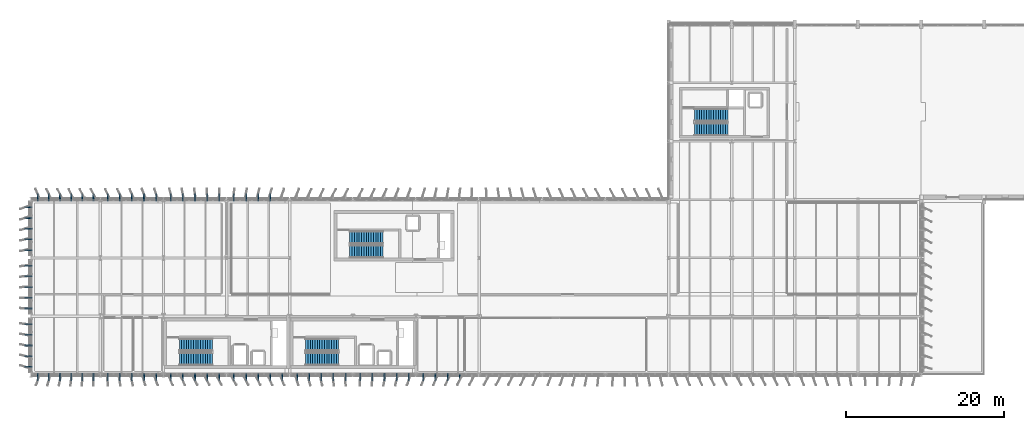
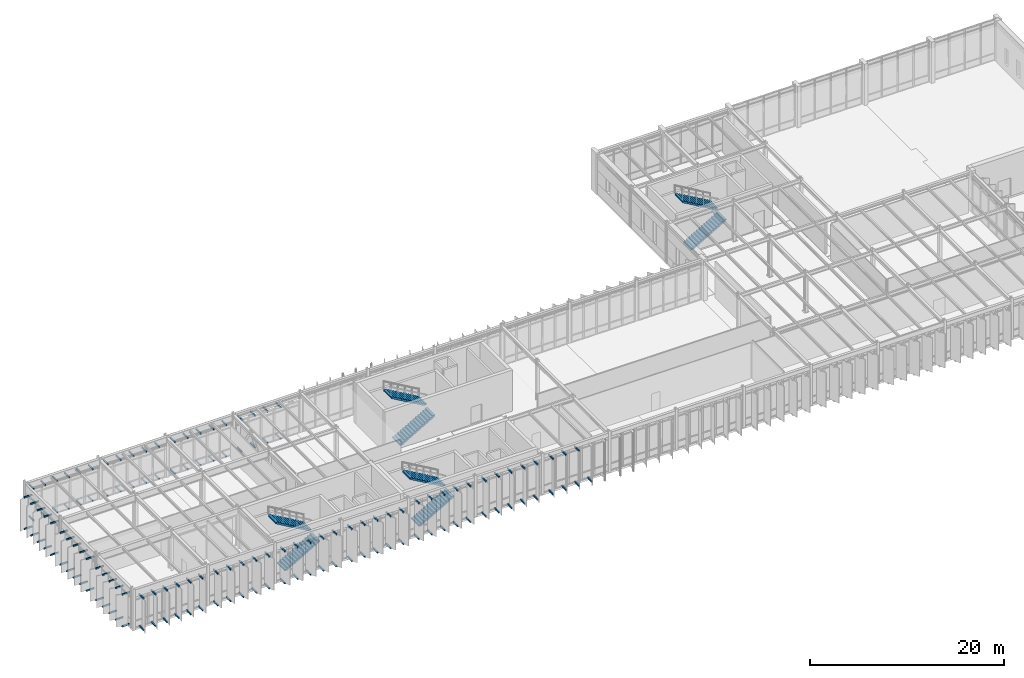
# One storey, part 38 of 48: 139 discrete accessories, 8 stair flights, 4 elements without a shape of their own.
"""IFC4 building model written with IfcOpenShell, lengths in metres."""

from ifc_helpers import new_model, si_unit, direction, frame, origin, origin_2d, place, context, subcontext, project, spatial, polyline, rectangle, outline, extrude, material, type_object, element, aggregate, save


model = new_model("IFC4")

# Units and contexts
model_context = context("Model", 3, precision=1e-05, world=origin(), true_north=direction((0.0, 1.0)))
body_context = subcontext(model_context, "Body", "Model", "MODEL_VIEW")
ifc_project = project(units=[si_unit("LENGTHUNIT", "METRE"), si_unit("AREAUNIT", "SQUARE_METRE"), si_unit("VOLUMEUNIT", "CUBIC_METRE"), si_unit("PLANEANGLEUNIT", "RADIAN"), si_unit("MASSUNIT", "GRAM", prefix="KILO")], contexts=[model_context])

# Site, building, storey
site_placement = place(None, origin())
site = spatial("IfcSite", under=ifc_project, at=site_placement, CompositionType="ELEMENT")
building_placement = place(site_placement, origin())
building = spatial("IfcBuilding", under=site, at=building_placement, Name="Valkorina Park Police Headquarters", CompositionType="ELEMENT")
storey_placement = place(building_placement, frame((0.0, 0.0, 18.10009765625)))
storey = spatial("IfcBuildingStorey", under=building, at=storey_placement, Name="L05", CompositionType="ELEMENT", Elevation=18.10009765625)

# Stair, stair flights
ifc_material_1 = material(Name="Concrete C35/45", Category="concrete")
stair_type = type_object("IfcStairType", Name="ST-DOGLEG-160-52", PredefinedType="HALF_TURN_STAIR", material=ifc_material_1)
stair_1_placement = place(storey_placement, origin())
stair_1 = element("IfcStair", 1, at=stair_1_placement, inside=storey, type_object=stair_type, Name="L05 Core C1 Protected Stair (ST-06)", PredefinedType="HALF_TURN_STAIR")
stair_flight_type = type_object("IfcStairFlightType", Name="STF-STRAIGHT-160-52", PredefinedType="STRAIGHT", material=ifc_material_1)
stair_flight_1_placement = place(storey_placement, frame((18.800048828125, 39.0, 0.0), z_axis=(0.0, 0.0, 1.0), x_axis=(1.0, 0.0, 0.0)))
stair_flight_1 = element("IfcStairFlight", 2, at=stair_flight_1_placement, type_object=stair_flight_type, Name="ST-06 flight 1", NumberOfRisers=15, NumberOfTreads=14, PredefinedType="STRAIGHT", RiserHeight=0.173333333, TreadLength=0.3, context=body_context, shape_type="SweptSolid", body=[
    extrude(outline(polyline([(0.0, 0.0), (0.0, 0.17333984375), (0.300048828125, 0.17333984375), (0.300048828125, 0.3466796875), (0.60009765625, 0.3466796875), (0.60009765625, 0.52001953125), (0.89990234375, 0.52001953125), (0.89990234375, 0.693359375), (1.199951171875, 0.693359375), (1.199951171875, 0.86669921875), (1.5, 0.86669921875), (1.5, 1.0400390625), (1.800048828125, 1.0400390625), (1.800048828125, 1.21337890625), (2.10009765625, 1.21337890625), (2.10009765625, 1.38671875), (2.39990234375, 1.38671875), (2.39990234375, 1.56005859375), (2.699951171875, 1.56005859375), (2.699951171875, 1.7333984375), (3.0, 1.7333984375), (3.0, 1.90673828125), (3.300048828125, 1.90673828125), (3.300048828125, 2.080078125), (3.60009765625, 2.080078125), (3.60009765625, 2.25341796875), (3.89990234375, 2.25341796875), (3.89990234375, 2.4267578125), (4.199951171875, 2.4267578125), (4.199951171875, 2.60009765625), (4.199951171875, 2.241943359375), (0.319580078125, 0.0), (0.0, 0.0)])), frame((0.0, 0.800048828125, 0.0), z_axis=(0.0, -1.0, 0.0), x_axis=(1.0, 0.0, 0.0)), (0.0, 0.0, 1.0), 1.60009765625),
])
stair_flight_2_placement = place(storey_placement, frame((23.0, 40.800048828125, 2.599853515625), z_axis=(0.0, 0.0, 1.0), x_axis=(-1.0, 0.0, 0.0)))
stair_flight_2 = element("IfcStairFlight", 3, at=stair_flight_2_placement, type_object=stair_flight_type, Name="ST-06 flight 2", NumberOfRisers=15, NumberOfTreads=14, PredefinedType="STRAIGHT", RiserHeight=0.173333333, TreadLength=0.3, context=body_context, shape_type="SweptSolid", body=[
    extrude(outline(polyline([(0.0, 0.0), (0.0, 0.17333984375), (0.300048828125, 0.17333984375), (0.300048828125, 0.3466796875), (0.60009765625, 0.3466796875), (0.60009765625, 0.52001953125), (0.89990234375, 0.52001953125), (0.89990234375, 0.693359375), (1.199951171875, 0.693359375), (1.199951171875, 0.86669921875), (1.5, 0.86669921875), (1.5, 1.0400390625), (1.800048828125, 1.0400390625), (1.800048828125, 1.21337890625), (2.10009765625, 1.21337890625), (2.10009765625, 1.38671875), (2.39990234375, 1.38671875), (2.39990234375, 1.56005859375), (2.699951171875, 1.56005859375), (2.699951171875, 1.7333984375), (3.0, 1.7333984375), (3.0, 1.90673828125), (3.300048828125, 1.90673828125), (3.300048828125, 2.080078125), (3.60009765625, 2.080078125), (3.60009765625, 2.25341796875), (3.89990234375, 2.25341796875), (3.89990234375, 2.4267578125), (4.199951171875, 2.4267578125), (4.199951171875, 2.60009765625), (4.199951171875, 2.241943359375), (0.319580078125, 0.0), (0.0, 0.0)])), frame((0.0, 0.800048828125, 0.0), z_axis=(0.0, -1.0, 0.0), x_axis=(1.0, 0.0, 0.0)), (0.0, 0.0, 1.0), 1.60009765625),
])
aggregate(stair_1, [stair_flight_1, stair_flight_2])

stair_2_placement = place(storey_placement, origin())
stair_2 = element("IfcStair", 4, at=stair_2_placement, inside=storey, type_object=stair_type, Name="L05 Core C2 Protected Stair (ST-06)", PredefinedType="HALF_TURN_STAIR")
stair_flight_3_placement = place(storey_placement, frame((34.800048828125, 39.0, 0.0), z_axis=(0.0, 0.0, 1.0), x_axis=(1.0, 0.0, 0.0)))
stair_flight_3 = element("IfcStairFlight", 5, at=stair_flight_3_placement, type_object=stair_flight_type, Name="ST-06 flight 1", NumberOfRisers=15, NumberOfTreads=14, PredefinedType="STRAIGHT", RiserHeight=0.173333333, TreadLength=0.3, context=body_context, shape_type="SweptSolid", body=[
    extrude(outline(polyline([(0.0, 0.0), (0.0, 0.17333984375), (0.300048828125, 0.17333984375), (0.300048828125, 0.3466796875), (0.60009765625, 0.3466796875), (0.60009765625, 0.52001953125), (0.89990234375, 0.52001953125), (0.89990234375, 0.693359375), (1.199951171875, 0.693359375), (1.199951171875, 0.86669921875), (1.5, 0.86669921875), (1.5, 1.0400390625), (1.800048828125, 1.0400390625), (1.800048828125, 1.21337890625), (2.10009765625, 1.21337890625), (2.10009765625, 1.38671875), (2.39990234375, 1.38671875), (2.39990234375, 1.56005859375), (2.699951171875, 1.56005859375), (2.699951171875, 1.7333984375), (3.0, 1.7333984375), (3.0, 1.90673828125), (3.300048828125, 1.90673828125), (3.300048828125, 2.080078125), (3.60009765625, 2.080078125), (3.60009765625, 2.25341796875), (3.89990234375, 2.25341796875), (3.89990234375, 2.4267578125), (4.199951171875, 2.4267578125), (4.199951171875, 2.60009765625), (4.199951171875, 2.241943359375), (0.319580078125, 0.0), (0.0, 0.0)])), frame((0.0, 0.800048828125, 0.0), z_axis=(0.0, -1.0, 0.0), x_axis=(1.0, 0.0, 0.0)), (0.0, 0.0, 1.0), 1.60009765625),
])
stair_flight_4_placement = place(storey_placement, frame((39.0, 40.800048828125, 2.599853515625), z_axis=(0.0, 0.0, 1.0), x_axis=(-1.0, 0.0, 0.0)))
stair_flight_4 = element("IfcStairFlight", 6, at=stair_flight_4_placement, type_object=stair_flight_type, Name="ST-06 flight 2", NumberOfRisers=15, NumberOfTreads=14, PredefinedType="STRAIGHT", RiserHeight=0.173333333, TreadLength=0.3, context=body_context, shape_type="SweptSolid", body=[
    extrude(outline(polyline([(0.0, 0.0), (0.0, 0.17333984375), (0.300048828125, 0.17333984375), (0.300048828125, 0.3466796875), (0.60009765625, 0.3466796875), (0.60009765625, 0.52001953125), (0.89990234375, 0.52001953125), (0.89990234375, 0.693359375), (1.199951171875, 0.693359375), (1.199951171875, 0.86669921875), (1.5, 0.86669921875), (1.5, 1.0400390625), (1.800048828125, 1.0400390625), (1.800048828125, 1.21337890625), (2.10009765625, 1.21337890625), (2.10009765625, 1.38671875), (2.39990234375, 1.38671875), (2.39990234375, 1.56005859375), (2.699951171875, 1.56005859375), (2.699951171875, 1.7333984375), (3.0, 1.7333984375), (3.0, 1.90673828125), (3.300048828125, 1.90673828125), (3.300048828125, 2.080078125), (3.60009765625, 2.080078125), (3.60009765625, 2.25341796875), (3.89990234375, 2.25341796875), (3.89990234375, 2.4267578125), (4.199951171875, 2.4267578125), (4.199951171875, 2.60009765625), (4.199951171875, 2.241943359375), (0.319580078125, 0.0), (0.0, 0.0)])), frame((0.0, 0.800048828125, 0.0), z_axis=(0.0, -1.0, 0.0), x_axis=(1.0, 0.0, 0.0)), (0.0, 0.0, 1.0), 1.60009765625),
])
aggregate(stair_2, [stair_flight_3, stair_flight_4])

stair_3_placement = place(storey_placement, origin())
stair_3 = element("IfcStair", 7, at=stair_3_placement, inside=storey, type_object=stair_type, Name="L05 Core C3 Protected Stair (ST-06)", PredefinedType="HALF_TURN_STAIR")
stair_flight_5_placement = place(storey_placement, frame((40.39990234375, 52.60009765625, 0.0), z_axis=(0.0, 0.0, 1.0), x_axis=(1.0, 0.0, 0.0)))
stair_flight_5 = element("IfcStairFlight", 8, at=stair_flight_5_placement, type_object=stair_flight_type, Name="ST-06 flight 1", NumberOfRisers=15, NumberOfTreads=14, PredefinedType="STRAIGHT", RiserHeight=0.173333333, TreadLength=0.3, context=body_context, shape_type="SweptSolid", body=[
    extrude(outline(polyline([(0.0, 0.0), (0.0, 0.17333984375), (0.300048828125, 0.17333984375), (0.300048828125, 0.3466796875), (0.60009765625, 0.3466796875), (0.60009765625, 0.52001953125), (0.89990234375, 0.52001953125), (0.89990234375, 0.693359375), (1.199951171875, 0.693359375), (1.199951171875, 0.86669921875), (1.5, 0.86669921875), (1.5, 1.0400390625), (1.800048828125, 1.0400390625), (1.800048828125, 1.21337890625), (2.10009765625, 1.21337890625), (2.10009765625, 1.38671875), (2.39990234375, 1.38671875), (2.39990234375, 1.56005859375), (2.699951171875, 1.56005859375), (2.699951171875, 1.7333984375), (3.0, 1.7333984375), (3.0, 1.90673828125), (3.300048828125, 1.90673828125), (3.300048828125, 2.080078125), (3.60009765625, 2.080078125), (3.60009765625, 2.25341796875), (3.89990234375, 2.25341796875), (3.89990234375, 2.4267578125), (4.199951171875, 2.4267578125), (4.199951171875, 2.60009765625), (4.199951171875, 2.241943359375), (0.319580078125, 0.0), (0.0, 0.0)])), frame((0.0, 0.800048828125, 0.0), z_axis=(0.0, -1.0, 0.0), x_axis=(1.0, 0.0, 0.0)), (0.0, 0.0, 1.0), 1.60009765625),
])
stair_flight_6_placement = place(storey_placement, frame((44.60009765625, 54.39990234375, 2.599853515625), z_axis=(0.0, 0.0, 1.0), x_axis=(-1.0, 0.0, 0.0)))
stair_flight_6 = element("IfcStairFlight", 9, at=stair_flight_6_placement, type_object=stair_flight_type, Name="ST-06 flight 2", NumberOfRisers=15, NumberOfTreads=14, PredefinedType="STRAIGHT", RiserHeight=0.173333333, TreadLength=0.3, context=body_context, shape_type="SweptSolid", body=[
    extrude(outline(polyline([(0.0, 0.0), (0.0, 0.17333984375), (0.300048828125, 0.17333984375), (0.300048828125, 0.3466796875), (0.60009765625, 0.3466796875), (0.60009765625, 0.52001953125), (0.89990234375, 0.52001953125), (0.89990234375, 0.693359375), (1.199951171875, 0.693359375), (1.199951171875, 0.86669921875), (1.5, 0.86669921875), (1.5, 1.0400390625), (1.800048828125, 1.0400390625), (1.800048828125, 1.21337890625), (2.10009765625, 1.21337890625), (2.10009765625, 1.38671875), (2.39990234375, 1.38671875), (2.39990234375, 1.56005859375), (2.699951171875, 1.56005859375), (2.699951171875, 1.7333984375), (3.0, 1.7333984375), (3.0, 1.90673828125), (3.300048828125, 1.90673828125), (3.300048828125, 2.080078125), (3.60009765625, 2.080078125), (3.60009765625, 2.25341796875), (3.89990234375, 2.25341796875), (3.89990234375, 2.4267578125), (4.199951171875, 2.4267578125), (4.199951171875, 2.60009765625), (4.199951171875, 2.241943359375), (0.319580078125, 0.0), (0.0, 0.0)])), frame((0.0, 0.800048828125, 0.0), z_axis=(0.0, -1.0, 0.0), x_axis=(1.0, 0.0, 0.0)), (0.0, 0.0, 1.0), 1.60009765625),
])
aggregate(stair_3, [stair_flight_5, stair_flight_6])

stair_4_placement = place(storey_placement, origin())
stair_4 = element("IfcStair", 10, at=stair_4_placement, inside=storey, type_object=stair_type, Name="L05 Core C6 Protected Stair (ST-06)", PredefinedType="HALF_TURN_STAIR")
stair_flight_7_placement = place(storey_placement, frame((84.10009765625, 68.10009765625, 0.0), z_axis=(0.0, 0.0, 1.0), x_axis=(1.0, 0.0, 0.0)))
stair_flight_7 = element("IfcStairFlight", 11, at=stair_flight_7_placement, type_object=stair_flight_type, Name="ST-06 flight 1", NumberOfRisers=15, NumberOfTreads=14, PredefinedType="STRAIGHT", RiserHeight=0.173333333, TreadLength=0.3, context=body_context, shape_type="SweptSolid", body=[
    extrude(outline(polyline([(0.0, 0.0), (0.0, 0.17333984375), (0.300048828125, 0.17333984375), (0.300048828125, 0.3466796875), (0.60009765625, 0.3466796875), (0.60009765625, 0.52001953125), (0.89990234375, 0.52001953125), (0.89990234375, 0.693359375), (1.199951171875, 0.693359375), (1.199951171875, 0.86669921875), (1.5, 0.86669921875), (1.5, 1.0400390625), (1.800048828125, 1.0400390625), (1.800048828125, 1.21337890625), (2.10009765625, 1.21337890625), (2.10009765625, 1.38671875), (2.39990234375, 1.38671875), (2.39990234375, 1.56005859375), (2.699951171875, 1.56005859375), (2.699951171875, 1.7333984375), (3.0, 1.7333984375), (3.0, 1.90673828125), (3.300048828125, 1.90673828125), (3.300048828125, 2.080078125), (3.60009765625, 2.080078125), (3.60009765625, 2.25341796875), (3.89990234375, 2.25341796875), (3.89990234375, 2.4267578125), (4.199951171875, 2.4267578125), (4.199951171875, 2.60009765625), (4.199951171875, 2.241943359375), (0.319580078125, 0.0), (0.0, 0.0)])), frame((0.0, 0.800048828125, 0.0), z_axis=(0.0, -1.0, 0.0), x_axis=(1.0, 0.0, 0.0)), (0.0, 0.0, 1.0), 1.60009765625),
])
stair_flight_8_placement = place(storey_placement, frame((88.300048828125, 69.89990234375, 2.599853515625), z_axis=(0.0, 0.0, 1.0), x_axis=(-1.0, 0.0, 0.0)))
stair_flight_8 = element("IfcStairFlight", 12, at=stair_flight_8_placement, type_object=stair_flight_type, Name="ST-06 flight 2", NumberOfRisers=15, NumberOfTreads=14, PredefinedType="STRAIGHT", RiserHeight=0.173333333, TreadLength=0.3, context=body_context, shape_type="SweptSolid", body=[
    extrude(outline(polyline([(0.0, 0.0), (0.0, 0.17333984375), (0.300048828125, 0.17333984375), (0.300048828125, 0.3466796875), (0.60009765625, 0.3466796875), (0.60009765625, 0.52001953125), (0.89990234375, 0.52001953125), (0.89990234375, 0.693359375), (1.199951171875, 0.693359375), (1.199951171875, 0.86669921875), (1.5, 0.86669921875), (1.5, 1.0400390625), (1.800048828125, 1.0400390625), (1.800048828125, 1.21337890625), (2.10009765625, 1.21337890625), (2.10009765625, 1.38671875), (2.39990234375, 1.38671875), (2.39990234375, 1.56005859375), (2.699951171875, 1.56005859375), (2.699951171875, 1.7333984375), (3.0, 1.7333984375), (3.0, 1.90673828125), (3.300048828125, 1.90673828125), (3.300048828125, 2.080078125), (3.60009765625, 2.080078125), (3.60009765625, 2.25341796875), (3.89990234375, 2.25341796875), (3.89990234375, 2.4267578125), (4.199951171875, 2.4267578125), (4.199951171875, 2.60009765625), (4.199951171875, 2.241943359375), (0.319580078125, 0.0), (0.0, 0.0)])), frame((0.0, 0.800048828125, 0.0), z_axis=(0.0, -1.0, 0.0), x_axis=(1.0, 0.0, 0.0)), (0.0, 0.0, 1.0), 1.60009765625),
])
aggregate(stair_4, [stair_flight_7, stair_flight_8])

# Discrete accessories
ifc_material_2 = material(Name="Thermally broken aluminium AW-6060", Category="aluminium")
discrete_accessory_type = type_object("IfcDiscreteAccessoryType", Name="ACC-BRACKET-LOUVRE", PredefinedType="BRACKET", material=ifc_material_2)
for number, where, z_axis, x_axis, name in (
    (13, (54.3359375, 36.719970703125, -0.06982421875), (0.0, 0.0, 1.0), (0.0, -1.0, 0.0), "Louvre Outrigger Bracket BOT 0387"),
    (14, (52.800048828125, 36.719970703125, -0.06982421875), (0.0, 0.0, 1.0), (0.0, -1.0, 0.0), "Louvre Outrigger Bracket BOT 0389"),
    (15, (52.800048828125, 36.719970703125, 4.3701171875), (0.0, 0.0, 1.0), (0.0, -1.0, 0.0), "Louvre Outrigger Bracket TOP 0390"),
    (16, (51.263916015625, 36.719970703125, -0.06982421875), (0.0, 0.0, 1.0), (0.0, -1.0, 0.0), "Louvre Outrigger Bracket BOT 0391"),
    (17, (51.263916015625, 36.719970703125, 4.3701171875), (0.0, 0.0, 1.0), (0.0, -1.0, 0.0), "Louvre Outrigger Bracket TOP 0392"),
    (18, (49.72802734375, 36.719970703125, -0.06982421875), (0.0, 0.0, 1.0), (0.0, -1.0, 0.0), "Louvre Outrigger Bracket BOT 0393"),
    (19, (49.72802734375, 36.719970703125, 4.3701171875), (0.0, 0.0, 1.0), (0.0, -1.0, 0.0), "Louvre Outrigger Bracket TOP 0394"),
    (20, (47.8720703125, 36.719970703125, -0.06982421875), (0.0, 0.0, 1.0), (0.0, -1.0, 0.0), "Louvre Outrigger Bracket BOT 0395"),
    (21, (47.8720703125, 36.719970703125, 4.3701171875), (0.0, 0.0, 1.0), (0.0, -1.0, 0.0), "Louvre Outrigger Bracket TOP 0396"),
    (22, (46.3359375, 36.719970703125, -0.06982421875), (0.0, 0.0, 1.0), (0.0, -1.0, 0.0), "Louvre Outrigger Bracket BOT 0397"),
    (23, (46.3359375, 36.719970703125, 4.3701171875), (0.0, 0.0, 1.0), (0.0, -1.0, 0.0), "Louvre Outrigger Bracket TOP 0398"),
    (24, (44.800048828125, 36.719970703125, -0.06982421875), (0.0, 0.0, 1.0), (0.0, -1.0, 0.0), "Louvre Outrigger Bracket BOT 0399"),
    (25, (44.800048828125, 36.719970703125, 4.3701171875), (0.0, 0.0, 1.0), (0.0, -1.0, 0.0), "Louvre Outrigger Bracket TOP 0400"),
    (26, (43.263916015625, 36.719970703125, -0.06982421875), (0.0, 0.0, 1.0), (0.0, -1.0, 0.0), "Louvre Outrigger Bracket BOT 0401"),
    (27, (43.263916015625, 36.719970703125, 4.3701171875), (0.0, 0.0, 1.0), (0.0, -1.0, 0.0), "Louvre Outrigger Bracket TOP 0402"),
    (28, (41.72802734375, 36.719970703125, -0.06982421875), (0.0, 0.0, 1.0), (0.0, -1.0, 0.0), "Louvre Outrigger Bracket BOT 0403"),
    (29, (41.72802734375, 36.719970703125, 4.3701171875), (0.0, 0.0, 1.0), (0.0, -1.0, 0.0), "Louvre Outrigger Bracket TOP 0404"),
    (30, (39.8720703125, 36.719970703125, -0.06982421875), (0.0, 0.0, 1.0), (0.0, -1.0, 0.0), "Louvre Outrigger Bracket BOT 0405"),
    (31, (39.8720703125, 36.719970703125, 4.3701171875), (0.0, 0.0, 1.0), (0.0, -1.0, 0.0), "Louvre Outrigger Bracket TOP 0406"),
    (32, (38.3359375, 36.719970703125, -0.06982421875), (0.0, 0.0, 1.0), (0.0, -1.0, 0.0), "Louvre Outrigger Bracket BOT 0407"),
    (33, (38.3359375, 36.719970703125, 4.3701171875), (0.0, 0.0, 1.0), (0.0, -1.0, 0.0), "Louvre Outrigger Bracket TOP 0408"),
    (34, (36.800048828125, 36.719970703125, -0.06982421875), (0.0, 0.0, 1.0), (0.0, -1.0, 0.0), "Louvre Outrigger Bracket BOT 0409"),
    (35, (36.800048828125, 36.719970703125, 4.3701171875), (0.0, 0.0, 1.0), (0.0, -1.0, 0.0), "Louvre Outrigger Bracket TOP 0410"),
    (36, (35.263916015625, 36.719970703125, -0.06982421875), (0.0, 0.0, 1.0), (0.0, -1.0, 0.0), "Louvre Outrigger Bracket BOT 0411"),
    (37, (35.263916015625, 36.719970703125, 4.3701171875), (0.0, 0.0, 1.0), (0.0, -1.0, 0.0), "Louvre Outrigger Bracket TOP 0412"),
    (38, (33.72802734375, 36.719970703125, -0.06982421875), (0.0, 0.0, 1.0), (0.0, -1.0, 0.0), "Louvre Outrigger Bracket BOT 0413"),
    (39, (33.72802734375, 36.719970703125, 4.3701171875), (0.0, 0.0, 1.0), (0.0, -1.0, 0.0), "Louvre Outrigger Bracket TOP 0414"),
    (40, (31.8720703125, 36.719970703125, -0.06982421875), (0.0, 0.0, 1.0), (0.0, -1.0, 0.0), "Louvre Outrigger Bracket BOT 0415"),
    (41, (31.8720703125, 36.719970703125, 3.919921875), (0.0, 0.0, 1.0), (0.0, -1.0, 0.0), "Louvre Outrigger Bracket TOP 0416"),
    (42, (30.3359375, 36.719970703125, -0.06982421875), (0.0, 0.0, 1.0), (0.0, -1.0, 0.0), "Louvre Outrigger Bracket BOT 0417"),
    (43, (30.3359375, 36.719970703125, 3.919921875), (0.0, 0.0, 1.0), (0.0, -1.0, 0.0), "Louvre Outrigger Bracket TOP 0418"),
    (44, (28.800048828125, 36.719970703125, -0.06982421875), (0.0, 0.0, 1.0), (0.0, -1.0, 0.0), "Louvre Outrigger Bracket BOT 0419"),
    (45, (28.800048828125, 36.719970703125, 3.919921875), (0.0, 0.0, 1.0), (0.0, -1.0, 0.0), "Louvre Outrigger Bracket TOP 0420"),
    (46, (27.263916015625, 36.719970703125, -0.06982421875), (0.0, 0.0, 1.0), (0.0, -1.0, 0.0), "Louvre Outrigger Bracket BOT 0421"),
    (47, (27.263916015625, 36.719970703125, 3.919921875), (0.0, 0.0, 1.0), (0.0, -1.0, 0.0), "Louvre Outrigger Bracket TOP 0422"),
    (48, (25.72802734375, 36.719970703125, -0.06982421875), (0.0, 0.0, 1.0), (0.0, -1.0, 0.0), "Louvre Outrigger Bracket BOT 0423"),
    (49, (25.72802734375, 36.719970703125, 3.919921875), (0.0, 0.0, 1.0), (0.0, -1.0, 0.0), "Louvre Outrigger Bracket TOP 0424"),
    (50, (23.8720703125, 36.719970703125, -0.06982421875), (0.0, 0.0, 1.0), (0.0, -1.0, 0.0), "Louvre Outrigger Bracket BOT 0425"),
    (51, (23.8720703125, 36.719970703125, 3.919921875), (0.0, 0.0, 1.0), (0.0, -1.0, 0.0), "Louvre Outrigger Bracket TOP 0426"),
    (52, (22.3359375, 36.719970703125, -0.06982421875), (0.0, 0.0, 1.0), (0.0, -1.0, 0.0), "Louvre Outrigger Bracket BOT 0427"),
    (53, (22.3359375, 36.719970703125, 3.919921875), (0.0, 0.0, 1.0), (0.0, -1.0, 0.0), "Louvre Outrigger Bracket TOP 0428"),
    (54, (20.800048828125, 36.719970703125, -0.06982421875), (0.0, 0.0, 1.0), (0.0, -1.0, 0.0), "Louvre Outrigger Bracket BOT 0429"),
    (55, (20.800048828125, 36.719970703125, 3.919921875), (0.0, 0.0, 1.0), (0.0, -1.0, 0.0), "Louvre Outrigger Bracket TOP 0430"),
    (56, (19.263916015625, 36.719970703125, -0.06982421875), (0.0, 0.0, 1.0), (0.0, -1.0, 0.0), "Louvre Outrigger Bracket BOT 0431"),
    (57, (19.263916015625, 36.719970703125, 3.919921875), (0.0, 0.0, 1.0), (0.0, -1.0, 0.0), "Louvre Outrigger Bracket TOP 0432"),
    (58, (17.72802734375, 36.719970703125, -0.06982421875), (0.0, 0.0, 1.0), (0.0, -1.0, 0.0), "Louvre Outrigger Bracket BOT 0433"),
    (59, (17.72802734375, 36.719970703125, 3.919921875), (0.0, 0.0, 1.0), (0.0, -1.0, 0.0), "Louvre Outrigger Bracket TOP 0434"),
    (60, (15.8720703125, 36.719970703125, -0.06982421875), (0.0, 0.0, 1.0), (0.0, -1.0, 0.0), "Louvre Outrigger Bracket BOT 0435"),
    (61, (15.8720703125, 36.719970703125, 3.919921875), (0.0, 0.0, 1.0), (0.0, -1.0, 0.0), "Louvre Outrigger Bracket TOP 0436"),
    (62, (14.3359375, 36.719970703125, -0.06982421875), (0.0, 0.0, 1.0), (0.0, -1.0, 0.0), "Louvre Outrigger Bracket BOT 0437"),
    (63, (14.3359375, 36.719970703125, 3.919921875), (0.0, 0.0, 1.0), (0.0, -1.0, 0.0), "Louvre Outrigger Bracket TOP 0438"),
    (64, (12.800048828125, 36.719970703125, -0.06982421875), (0.0, 0.0, 1.0), (0.0, -1.0, 0.0), "Louvre Outrigger Bracket BOT 0439"),
    (65, (12.800048828125, 36.719970703125, 3.919921875), (0.0, 0.0, 1.0), (0.0, -1.0, 0.0), "Louvre Outrigger Bracket TOP 0440"),
    (66, (11.263916015625, 36.719970703125, -0.06982421875), (0.0, 0.0, 1.0), (0.0, -1.0, 0.0), "Louvre Outrigger Bracket BOT 0441"),
    (67, (11.263916015625, 36.719970703125, 3.919921875), (0.0, 0.0, 1.0), (0.0, -1.0, 0.0), "Louvre Outrigger Bracket TOP 0442"),
    (68, (9.72802734375, 36.719970703125, -0.06982421875), (0.0, 0.0, 1.0), (0.0, -1.0, 0.0), "Louvre Outrigger Bracket BOT 0443"),
    (69, (9.72802734375, 36.719970703125, 3.919921875), (0.0, 0.0, 1.0), (0.0, -1.0, 0.0), "Louvre Outrigger Bracket TOP 0444"),
    (70, (7.933349609375, 36.719970703125, -0.06982421875), (0.0, 0.0, 1.0), (0.0, -1.0, 0.0), "Louvre Outrigger Bracket BOT 0445"),
    (71, (7.933349609375, 36.719970703125, 3.919921875), (0.0, 0.0, 1.0), (0.0, -1.0, 0.0), "Louvre Outrigger Bracket TOP 0446"),
    (72, (6.52001953125, 36.719970703125, -0.06982421875), (0.0, 0.0, 1.0), (0.0, -1.0, 0.0), "Louvre Outrigger Bracket BOT 0447"),
    (73, (6.52001953125, 36.719970703125, 3.919921875), (0.0, 0.0, 1.0), (0.0, -1.0, 0.0), "Louvre Outrigger Bracket TOP 0448"),
    (74, (5.106689453125, 36.719970703125, -0.06982421875), (0.0, 0.0, 1.0), (0.0, -1.0, 0.0), "Louvre Outrigger Bracket BOT 0449"),
    (75, (5.106689453125, 36.719970703125, 3.919921875), (0.0, 0.0, 1.0), (0.0, -1.0, 0.0), "Louvre Outrigger Bracket TOP 0450"),
    (76, (3.693359375, 36.719970703125, -0.06982421875), (0.0, 0.0, 1.0), (0.0, -1.0, 0.0), "Louvre Outrigger Bracket BOT 0451"),
    (77, (3.693359375, 36.719970703125, 3.919921875), (0.0, 0.0, 1.0), (0.0, -1.0, 0.0), "Louvre Outrigger Bracket TOP 0452"),
    (78, (2.280029296875, 36.719970703125, -0.06982421875), (0.0, 0.0, 1.0), (0.0, -1.0, 0.0), "Louvre Outrigger Bracket BOT 0453"),
    (79, (2.280029296875, 36.719970703125, 3.919921875), (0.0, 0.0, 1.0), (0.0, -1.0, 0.0), "Louvre Outrigger Bracket TOP 0454"),
    (80, (0.86669921875, 36.719970703125, -0.06982421875), (0.0, 0.0, 1.0), (0.0, -1.0, 0.0), "Louvre Outrigger Bracket BOT 0455"),
    (81, (0.86669921875, 36.719970703125, 3.919921875), (0.0, 0.0, 1.0), (0.0, -1.0, 0.0), "Louvre Outrigger Bracket TOP 0456"),
    (82, (-0.280029296875, 37.988037109375, -0.06982421875), (0.0, 0.0, 1.0), (-1.0, 0.0, 0.0), "Louvre Outrigger Bracket BOT 0457"),
    (83, (-0.280029296875, 37.988037109375, 3.919921875), (0.0, 0.0, 1.0), (-1.0, 0.0, 0.0), "Louvre Outrigger Bracket TOP 0458"),
    (84, (-0.280029296875, 39.343994140625, -0.06982421875), (0.0, 0.0, 1.0), (-1.0, 0.0, 0.0), "Louvre Outrigger Bracket BOT 0459"),
    (85, (-0.280029296875, 39.343994140625, 3.919921875), (0.0, 0.0, 1.0), (-1.0, 0.0, 0.0), "Louvre Outrigger Bracket TOP 0460"),
    (86, (-0.280029296875, 40.699951171875, -0.06982421875), (0.0, 0.0, 1.0), (-1.0, 0.0, 0.0), "Louvre Outrigger Bracket BOT 0461"),
    (87, (-0.280029296875, 40.699951171875, 3.919921875), (0.0, 0.0, 1.0), (-1.0, 0.0, 0.0), "Louvre Outrigger Bracket TOP 0462"),
    (88, (-0.280029296875, 42.055908203125, -0.06982421875), (0.0, 0.0, 1.0), (-1.0, 0.0, 0.0), "Louvre Outrigger Bracket BOT 0463"),
    (89, (-0.280029296875, 42.055908203125, 3.919921875), (0.0, 0.0, 1.0), (-1.0, 0.0, 0.0), "Louvre Outrigger Bracket TOP 0464"),
    (90, (-0.280029296875, 43.412109375, -0.06982421875), (0.0, 0.0, 1.0), (-1.0, 0.0, 0.0), "Louvre Outrigger Bracket BOT 0465"),
    (91, (-0.280029296875, 43.412109375, 3.919921875), (0.0, 0.0, 1.0), (-1.0, 0.0, 0.0), "Louvre Outrigger Bracket TOP 0466"),
    (92, (-0.280029296875, 45.387939453125, -0.06982421875), (0.0, 0.0, 1.0), (-1.0, 0.0, 0.0), "Louvre Outrigger Bracket BOT 0467"),
    (93, (-0.280029296875, 45.387939453125, 3.919921875), (0.0, 0.0, 1.0), (-1.0, 0.0, 0.0), "Louvre Outrigger Bracket TOP 0468"),
    (94, (-0.280029296875, 46.743896484375, -0.06982421875), (0.0, 0.0, 1.0), (-1.0, 0.0, 0.0), "Louvre Outrigger Bracket BOT 0469"),
    (95, (-0.280029296875, 46.743896484375, 3.919921875), (0.0, 0.0, 1.0), (-1.0, 0.0, 0.0), "Louvre Outrigger Bracket TOP 0470"),
    (96, (-0.280029296875, 48.10009765625, -0.06982421875), (0.0, 0.0, 1.0), (-1.0, 0.0, 0.0), "Louvre Outrigger Bracket BOT 0471"),
    (97, (-0.280029296875, 48.10009765625, 3.919921875), (0.0, 0.0, 1.0), (-1.0, 0.0, 0.0), "Louvre Outrigger Bracket TOP 0472"),
    (98, (-0.280029296875, 49.4560546875, -0.06982421875), (0.0, 0.0, 1.0), (-1.0, 0.0, 0.0), "Louvre Outrigger Bracket BOT 0473"),
    (99, (-0.280029296875, 49.4560546875, 3.919921875), (0.0, 0.0, 1.0), (-1.0, 0.0, 0.0), "Louvre Outrigger Bracket TOP 0474"),
    (100, (-0.280029296875, 50.81201171875, -0.06982421875), (0.0, 0.0, 1.0), (-1.0, 0.0, 0.0), "Louvre Outrigger Bracket BOT 0475"),
    (101, (-0.280029296875, 50.81201171875, 3.919921875), (0.0, 0.0, 1.0), (-1.0, 0.0, 0.0), "Louvre Outrigger Bracket TOP 0476"),
    (102, (-0.280029296875, 52.7880859375, -0.06982421875), (0.0, 0.0, 1.0), (-1.0, 0.0, 0.0), "Louvre Outrigger Bracket BOT 0477"),
    (103, (-0.280029296875, 52.7880859375, 3.919921875), (0.0, 0.0, 1.0), (-1.0, 0.0, 0.0), "Louvre Outrigger Bracket TOP 0478"),
    (104, (-0.280029296875, 54.14404296875, -0.06982421875), (0.0, 0.0, 1.0), (-1.0, 0.0, 0.0), "Louvre Outrigger Bracket BOT 0479"),
    (105, (-0.280029296875, 54.14404296875, 3.919921875), (0.0, 0.0, 1.0), (-1.0, 0.0, 0.0), "Louvre Outrigger Bracket TOP 0480"),
    (106, (-0.280029296875, 55.5, -0.06982421875), (0.0, 0.0, 1.0), (-1.0, 0.0, 0.0), "Louvre Outrigger Bracket BOT 0481"),
    (107, (-0.280029296875, 55.5, 3.919921875), (0.0, 0.0, 1.0), (-1.0, 0.0, 0.0), "Louvre Outrigger Bracket TOP 0482"),
    (108, (-0.280029296875, 56.85595703125, -0.06982421875), (0.0, 0.0, 1.0), (-1.0, 0.0, 0.0), "Louvre Outrigger Bracket BOT 0483"),
    (109, (-0.280029296875, 56.85595703125, 3.919921875), (0.0, 0.0, 1.0), (-1.0, 0.0, 0.0), "Louvre Outrigger Bracket TOP 0484"),
    (110, (-0.280029296875, 58.2119140625, -0.06982421875), (0.0, 0.0, 1.0), (-1.0, 0.0, 0.0), "Louvre Outrigger Bracket BOT 0485"),
    (111, (-0.280029296875, 58.2119140625, 3.919921875), (0.0, 0.0, 1.0), (-1.0, 0.0, 0.0), "Louvre Outrigger Bracket TOP 0486"),
    (112, (0.86669921875, 59.47998046875, -0.06982421875), (0.0, 0.0, 1.0), (0.0, 1.0, 0.0), "Louvre Outrigger Bracket BOT 0487"),
    (113, (0.86669921875, 59.47998046875, 3.919921875), (0.0, 0.0, 1.0), (0.0, 1.0, 0.0), "Louvre Outrigger Bracket TOP 0488"),
    (114, (2.280029296875, 59.47998046875, -0.06982421875), (0.0, 0.0, 1.0), (0.0, 1.0, 0.0), "Louvre Outrigger Bracket BOT 0489"),
    (115, (2.280029296875, 59.47998046875, 3.919921875), (0.0, 0.0, 1.0), (0.0, 1.0, 0.0), "Louvre Outrigger Bracket TOP 0490"),
    (116, (3.693359375, 59.47998046875, -0.06982421875), (0.0, 0.0, 1.0), (0.0, 1.0, 0.0), "Louvre Outrigger Bracket BOT 0491"),
    (117, (3.693359375, 59.47998046875, 3.919921875), (0.0, 0.0, 1.0), (0.0, 1.0, 0.0), "Louvre Outrigger Bracket TOP 0492"),
    (118, (5.106689453125, 59.47998046875, -0.06982421875), (0.0, 0.0, 1.0), (0.0, 1.0, 0.0), "Louvre Outrigger Bracket BOT 0493"),
    (119, (5.106689453125, 59.47998046875, 3.919921875), (0.0, 0.0, 1.0), (0.0, 1.0, 0.0), "Louvre Outrigger Bracket TOP 0494"),
    (120, (6.52001953125, 59.47998046875, -0.06982421875), (0.0, 0.0, 1.0), (0.0, 1.0, 0.0), "Louvre Outrigger Bracket BOT 0495"),
    (121, (6.52001953125, 59.47998046875, 3.919921875), (0.0, 0.0, 1.0), (0.0, 1.0, 0.0), "Louvre Outrigger Bracket TOP 0496"),
    (122, (7.933349609375, 59.47998046875, -0.06982421875), (0.0, 0.0, 1.0), (0.0, 1.0, 0.0), "Louvre Outrigger Bracket BOT 0497"),
    (123, (7.933349609375, 59.47998046875, 3.919921875), (0.0, 0.0, 1.0), (0.0, 1.0, 0.0), "Louvre Outrigger Bracket TOP 0498"),
    (124, (9.72802734375, 59.47998046875, -0.06982421875), (0.0, 0.0, 1.0), (0.0, 1.0, 0.0), "Louvre Outrigger Bracket BOT 0499"),
    (125, (9.72802734375, 59.47998046875, 3.919921875), (0.0, 0.0, 1.0), (0.0, 1.0, 0.0), "Louvre Outrigger Bracket TOP 0500"),
    (126, (11.263916015625, 59.47998046875, -0.06982421875), (0.0, 0.0, 1.0), (0.0, 1.0, 0.0), "Louvre Outrigger Bracket BOT 0501"),
    (127, (11.263916015625, 59.47998046875, 3.919921875), (0.0, 0.0, 1.0), (0.0, 1.0, 0.0), "Louvre Outrigger Bracket TOP 0502"),
    (128, (12.800048828125, 59.47998046875, -0.06982421875), (0.0, 0.0, 1.0), (0.0, 1.0, 0.0), "Louvre Outrigger Bracket BOT 0503"),
    (129, (12.800048828125, 59.47998046875, 3.919921875), (0.0, 0.0, 1.0), (0.0, 1.0, 0.0), "Louvre Outrigger Bracket TOP 0504"),
    (130, (14.3359375, 59.47998046875, -0.06982421875), (0.0, 0.0, 1.0), (0.0, 1.0, 0.0), "Louvre Outrigger Bracket BOT 0505"),
    (131, (14.3359375, 59.47998046875, 3.919921875), (0.0, 0.0, 1.0), (0.0, 1.0, 0.0), "Louvre Outrigger Bracket TOP 0506"),
    (132, (15.8720703125, 59.47998046875, -0.06982421875), (0.0, 0.0, 1.0), (0.0, 1.0, 0.0), "Louvre Outrigger Bracket BOT 0507"),
    (133, (15.8720703125, 59.47998046875, 3.919921875), (0.0, 0.0, 1.0), (0.0, 1.0, 0.0), "Louvre Outrigger Bracket TOP 0508"),
    (134, (17.72802734375, 59.47998046875, -0.06982421875), (0.0, 0.0, 1.0), (0.0, 1.0, 0.0), "Louvre Outrigger Bracket BOT 0509"),
    (135, (17.72802734375, 59.47998046875, 3.919921875), (0.0, 0.0, 1.0), (0.0, 1.0, 0.0), "Louvre Outrigger Bracket TOP 0510"),
    (136, (19.263916015625, 59.47998046875, -0.06982421875), (0.0, 0.0, 1.0), (0.0, 1.0, 0.0), "Louvre Outrigger Bracket BOT 0511"),
    (137, (19.263916015625, 59.47998046875, 3.919921875), (0.0, 0.0, 1.0), (0.0, 1.0, 0.0), "Louvre Outrigger Bracket TOP 0512"),
    (138, (20.800048828125, 59.47998046875, -0.06982421875), (0.0, 0.0, 1.0), (0.0, 1.0, 0.0), "Louvre Outrigger Bracket BOT 0513"),
    (139, (20.800048828125, 59.47998046875, 3.919921875), (0.0, 0.0, 1.0), (0.0, 1.0, 0.0), "Louvre Outrigger Bracket TOP 0514"),
    (140, (22.3359375, 59.47998046875, -0.06982421875), (0.0, 0.0, 1.0), (0.0, 1.0, 0.0), "Louvre Outrigger Bracket BOT 0515"),
    (141, (22.3359375, 59.47998046875, 3.919921875), (0.0, 0.0, 1.0), (0.0, 1.0, 0.0), "Louvre Outrigger Bracket TOP 0516"),
    (142, (23.8720703125, 59.47998046875, -0.06982421875), (0.0, 0.0, 1.0), (0.0, 1.0, 0.0), "Louvre Outrigger Bracket BOT 0517"),
    (143, (23.8720703125, 59.47998046875, 3.919921875), (0.0, 0.0, 1.0), (0.0, 1.0, 0.0), "Louvre Outrigger Bracket TOP 0518"),
    (144, (25.72802734375, 59.47998046875, -0.06982421875), (0.0, 0.0, 1.0), (0.0, 1.0, 0.0), "Louvre Outrigger Bracket BOT 0519"),
    (145, (25.72802734375, 59.47998046875, 3.919921875), (0.0, 0.0, 1.0), (0.0, 1.0, 0.0), "Louvre Outrigger Bracket TOP 0520"),
    (146, (27.263916015625, 59.47998046875, -0.06982421875), (0.0, 0.0, 1.0), (0.0, 1.0, 0.0), "Louvre Outrigger Bracket BOT 0521"),
    (147, (27.263916015625, 59.47998046875, 3.919921875), (0.0, 0.0, 1.0), (0.0, 1.0, 0.0), "Louvre Outrigger Bracket TOP 0522"),
    (148, (28.800048828125, 59.47998046875, -0.06982421875), (0.0, 0.0, 1.0), (0.0, 1.0, 0.0), "Louvre Outrigger Bracket BOT 0523"),
    (149, (28.800048828125, 59.47998046875, 3.919921875), (0.0, 0.0, 1.0), (0.0, 1.0, 0.0), "Louvre Outrigger Bracket TOP 0524"),
    (150, (30.3359375, 59.47998046875, -0.06982421875), (0.0, 0.0, 1.0), (0.0, 1.0, 0.0), "Louvre Outrigger Bracket BOT 0525"),
    (151, (30.3359375, 59.47998046875, 3.919921875), (0.0, 0.0, 1.0), (0.0, 1.0, 0.0), "Louvre Outrigger Bracket TOP 0526"),
):
    element("IfcDiscreteAccessory", number, at=place(storey_placement, frame(where, z_axis=z_axis, x_axis=x_axis)), inside=storey, type_object=discrete_accessory_type, Name=name, PredefinedType="BRACKET", context=body_context, shape_type="SweptSolid", body=[
        extrude(rectangle(XDim=0.9599609375, YDim=0.139892578125, at=origin_2d()), origin(), (0.0, 0.0, 1.0), 0.179931640625),
    ])

save(model, "model.ifc")
